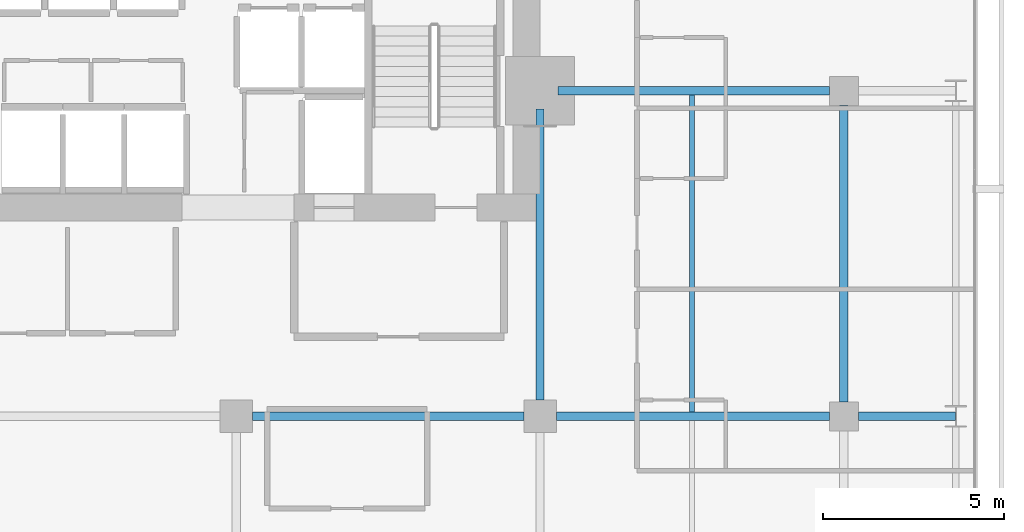
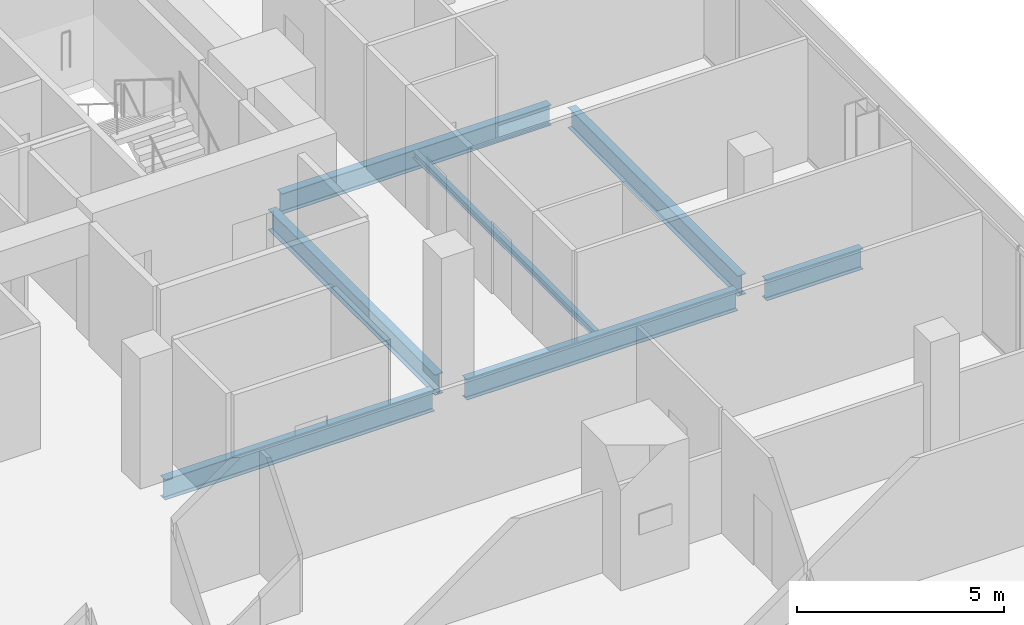
# One storey, part 23 of 34: 7 beams.
"""IFC4 building model written with IfcOpenShell, lengths in metres."""

from ifc_helpers import new_model, si_unit, direction, frame, origin, origin_2d, place, context, subcontext, project, spatial, i_section, extrude, material, material_profile, profile_set, type_object, element, save


model = new_model("IFC4")

# Units and contexts
model_context = context("Model", 3, precision=1e-05, world=origin(), true_north=direction((0.0, 1.0)))
body_context = subcontext(model_context, "Body", "Model", "MODEL_VIEW")
ifc_project = project(units=[si_unit("LENGTHUNIT", "METRE"), si_unit("AREAUNIT", "SQUARE_METRE"), si_unit("VOLUMEUNIT", "CUBIC_METRE"), si_unit("PLANEANGLEUNIT", "RADIAN"), si_unit("MASSUNIT", "GRAM", prefix="KILO")], contexts=[model_context])

# Site, building, storey
site_placement = place(None, origin())
site = spatial("IfcSite", under=ifc_project, at=site_placement, CompositionType="ELEMENT")
building_placement = place(site_placement, origin())
building = spatial("IfcBuilding", under=site, at=building_placement, Name="Maruvema Waterfront Hotel and Observation Tower", CompositionType="ELEMENT")
storey_placement = place(building_placement, frame((0.0, 0.0, 181.300048828125)))
storey = spatial("IfcBuildingStorey", under=building, at=storey_placement, Name="L44", CompositionType="ELEMENT", Elevation=181.300048828125)

# Beams
ifc_material_1 = material(Name="Steel ASTM A572 Grade 50", Category="steel")
ifc_material_profile_1 = material_profile(ifc_material_1, i_section(OverallWidth=0.22802734375, OverallDepth=0.60302734375, WebThickness=0.010498046875, FlangeThickness=0.014892578125, FilletRadius=0.01806640625, at=origin_2d()), Name="W610x101.0")
ifc_profile_set_1 = profile_set([ifc_material_profile_1], Name="Steel ASTM A572 Grade 50")
beam_type_1 = type_object("IfcBeamType", Name="Primary Floor Girder W610x101.0", PredefinedType="BEAM", material=ifc_profile_set_1)
beam_1_placement = place(storey_placement, frame((42.449951171875, 36.0, -0.54150390625), z_axis=(1.0, 0.0, 0.0), x_axis=(0.0, 1.0, 0.0)))
element("IfcBeam", 1, at=beam_1_placement, inside=storey, type_object=beam_type_1, Name="L44 Floor Girder EW-27", PredefinedType="BEAM", context=body_context, shape_type="SweptSolid", body=[
    extrude(i_section(OverallWidth=0.22802734375, OverallDepth=0.60302734375, WebThickness=0.010498046875, FlangeThickness=0.014892578125, FilletRadius=0.01806640625, at=origin_2d()), origin(), (0.0, 0.0, 1.0), 7.5),
])
beam_2_placement = place(storey_placement, frame((50.85009765625, 36.0, -0.54150390625), z_axis=(1.0, 0.0, 0.0), x_axis=(0.0, 1.0, 0.0)))
element("IfcBeam", 2, at=beam_2_placement, inside=storey, type_object=beam_type_1, Name="L44 Floor Girder EW-28", PredefinedType="BEAM", context=body_context, shape_type="SweptSolid", body=[
    extrude(i_section(OverallWidth=0.22802734375, OverallDepth=0.60302734375, WebThickness=0.010498046875, FlangeThickness=0.014892578125, FilletRadius=0.01806640625, at=origin_2d()), origin(), (0.0, 0.0, 1.0), 7.5498046875),
])
beam_3_placement = place(storey_placement, frame((59.199951171875, 36.0, -0.54150390625), z_axis=(1.0, 0.0, 0.0), x_axis=(0.0, 1.0, 0.0)))
element("IfcBeam", 3, at=beam_3_placement, inside=storey, type_object=beam_type_1, Name="L44 Floor Girder EW-29", PredefinedType="BEAM", context=body_context, shape_type="SweptSolid", body=[
    extrude(i_section(OverallWidth=0.22802734375, OverallDepth=0.60302734375, WebThickness=0.010498046875, FlangeThickness=0.014892578125, FilletRadius=0.01806640625, at=origin_2d()), origin(), (0.0, 0.0, 1.0), 2.6875),
])
beam_4_placement = place(storey_placement, frame((50.89990234375, 45.0, -0.54150390625), z_axis=(1.0, 0.0, 0.0), x_axis=(0.0, 1.0, 0.0)))
element("IfcBeam", 4, at=beam_4_placement, inside=storey, type_object=beam_type_1, Name="L44 Floor Girder EW-32", PredefinedType="BEAM", context=body_context, shape_type="SweptSolid", body=[
    extrude(i_section(OverallWidth=0.22802734375, OverallDepth=0.60302734375, WebThickness=0.010498046875, FlangeThickness=0.014892578125, FilletRadius=0.01806640625, at=origin_2d()), origin(), (0.0, 0.0, 1.0), 7.5),
])
beam_5_placement = place(storey_placement, frame((50.39990234375, 36.449951171875, -0.54150390625), z_axis=(0.0, 1.0, 0.0), x_axis=(-1.0, 0.0, 0.0)))
element("IfcBeam", 5, at=beam_5_placement, inside=storey, type_object=beam_type_1, Name="L44 Floor Girder NS-24", PredefinedType="BEAM", context=body_context, shape_type="SweptSolid", body=[
    extrude(i_section(OverallWidth=0.22802734375, OverallDepth=0.60302734375, WebThickness=0.010498046875, FlangeThickness=0.014892578125, FilletRadius=0.01806640625, at=origin_2d()), origin(), (0.0, 0.0, 1.0), 8.050048828125),
])
beam_6_placement = place(storey_placement, frame((58.800048828125, 36.39990234375, -0.54150390625), z_axis=(0.0, 1.0, 0.0), x_axis=(-1.0, 0.0, 0.0)))
element("IfcBeam", 6, at=beam_6_placement, inside=storey, type_object=beam_type_1, Name="L44 Floor Girder NS-28", PredefinedType="BEAM", context=body_context, shape_type="SweptSolid", body=[
    extrude(i_section(OverallWidth=0.22802734375, OverallDepth=0.60302734375, WebThickness=0.010498046875, FlangeThickness=0.014892578125, FilletRadius=0.01806640625, at=origin_2d()), origin(), (0.0, 0.0, 1.0), 8.2001953125),
])
ifc_material_2 = material(Name="Steel ASTM A572 Grade 50", Category="steel")
ifc_material_profile_2 = material_profile(ifc_material_2, i_section(OverallWidth=0.133056640625, OverallDepth=0.20703125, WebThickness=0.005859375, FlangeThickness=0.00830078125, FilletRadius=0.010009765625, at=origin_2d()), Name="W200x26.6")
ifc_profile_set_2 = profile_set([ifc_material_profile_2], Name="Steel ASTM A572 Grade 50")
beam_type_2 = type_object("IfcBeamType", Name="Secondary Floor Joist W200x26.6", PredefinedType="JOIST", material=ifc_profile_set_2)
beam_7_placement = place(storey_placement, frame((54.60009765625, 36.114013671875, -0.343505859375), z_axis=(0.0, 1.0, 0.0), x_axis=(-1.0, 0.0, 0.0)))
element("IfcBeam", 7, at=beam_7_placement, inside=storey, type_object=beam_type_2, Name="L44 Secondary Floor Joist JS-14", PredefinedType="JOIST", context=body_context, shape_type="SweptSolid", body=[
    extrude(i_section(OverallWidth=0.133056640625, OverallDepth=0.20703125, WebThickness=0.005859375, FlangeThickness=0.00830078125, FilletRadius=0.010009765625, at=origin_2d()), origin(), (0.0, 0.0, 1.0), 8.77197265625),
])

save(model, "model.ifc")
